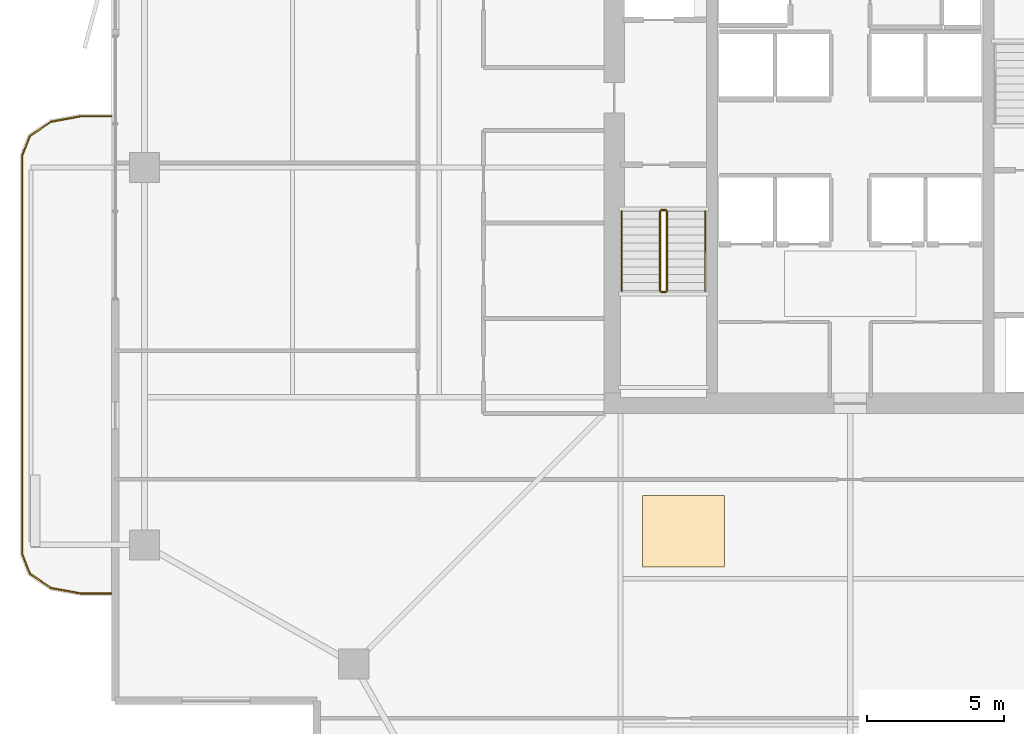
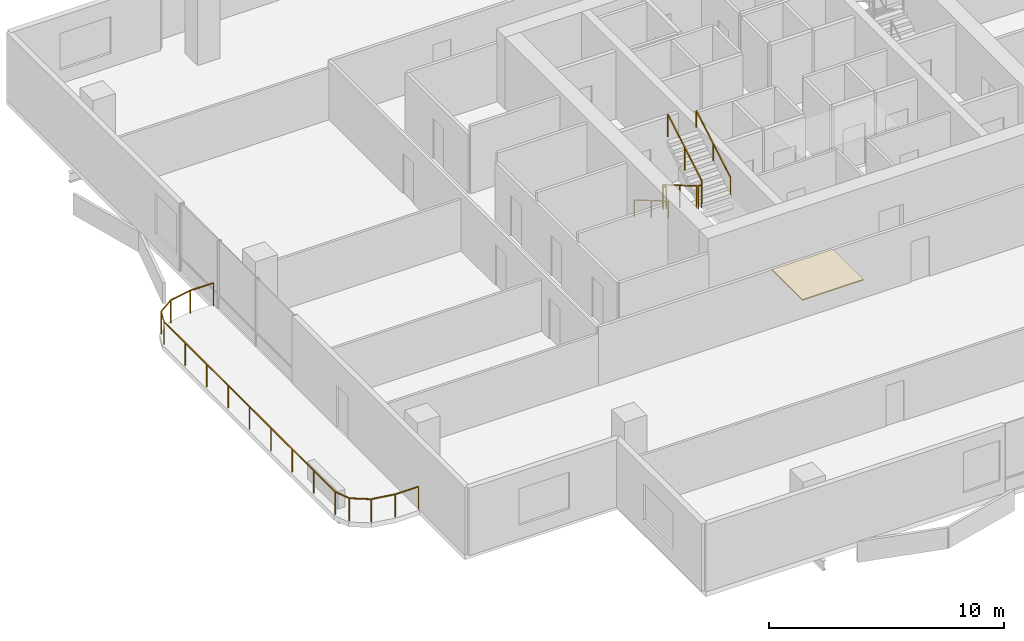
# One storey, part 21 of 24: 7 railings, 1 covering.
"""IFC4 building model written with IfcOpenShell, lengths in metres."""

from ifc_helpers import new_model, si_unit, direction, frame, origin, origin_2d, place, context, subcontext, project, spatial, polyline, rectangle, outline, extrude, material, layer, layer_set, type_object, element, save


model = new_model("IFC4")

# Units and contexts
model_context = context("Model", 3, precision=1e-05, world=origin(), true_north=direction((0.0, 1.0)))
body_context = subcontext(model_context, "Body", "Model", "MODEL_VIEW")
ifc_project = project(units=[si_unit("LENGTHUNIT", "METRE"), si_unit("AREAUNIT", "SQUARE_METRE"), si_unit("VOLUMEUNIT", "CUBIC_METRE"), si_unit("PLANEANGLEUNIT", "RADIAN"), si_unit("MASSUNIT", "GRAM", prefix="KILO")], contexts=[model_context])

# Site, building, storey
site_placement = place(None, origin())
site = spatial("IfcSite", under=ifc_project, at=site_placement, CompositionType="ELEMENT")
building_placement = place(site_placement, origin())
building = spatial("IfcBuilding", under=site, at=building_placement, Name="Belovzor Exchange Tower", CompositionType="ELEMENT")
storey_placement = place(building_placement, frame((0.0, 0.0, 237.449951171875)))
storey = spatial("IfcBuildingStorey", under=building, at=storey_placement, Name="L59", CompositionType="ELEMENT", Elevation=237.449951171875)

# Railings
ifc_material_1 = material(Name="Stainless Steel Grade 304", Category="steel")
railing_type_1 = type_object("IfcRailingType", Name="Brushed Stainless Steel Stair Handrail 900", PredefinedType="HANDRAIL", material=ifc_material_1)
railing_1_placement = place(storey_placement, frame((20.449951171875, 27.199951171875, 0.17041015625)))
element("IfcRailing", 1, at=railing_1_placement, inside=storey, type_object=railing_type_1, Name="L59 ST-1 stair handrail 1", PredefinedType="HANDRAIL", context=body_context, shape_type="SweptSolid", body=[
    extrude(rectangle(XDim=0.048095703125, YDim=0.048095703125, at=origin_2d()), frame((0.0, 0.0, 0.8759765625), z_axis=(0.0, -0.86209462966, 0.506747323142), x_axis=(1.0, 0.0, 0.0)), (0.0, 0.0, 1.0), 3.36376953125),
    extrude(rectangle(XDim=0.0419921875, YDim=0.0419921875, at=origin_2d()), origin(), (0.0, 0.0, 1.0), 0.851806640625),
    extrude(rectangle(XDim=0.0419921875, YDim=0.0419921875, at=origin_2d()), frame((0.0, -1.449951171875, 0.852294921875)), (0.0, 0.0, 1.0), 0.851806640625),
    extrude(rectangle(XDim=0.0419921875, YDim=0.0419921875, at=origin_2d()), frame((0.0, -2.89990234375, 1.70458984375)), (0.0, 0.0, 1.0), 0.851806640625),
])
railing_2_placement = place(storey_placement, frame((23.5, 24.300048828125, 2.04541015625)))
element("IfcRailing", 2, at=railing_2_placement, inside=storey, type_object=railing_type_1, Name="L59 ST-1 stair handrail 2", PredefinedType="HANDRAIL", context=body_context, shape_type="SweptSolid", body=[
    extrude(rectangle(XDim=0.048095703125, YDim=0.048095703125, at=origin_2d()), frame((0.0, 0.0, 0.8759765625), z_axis=(0.0, 0.86209462966, 0.506747323142), x_axis=(-1.0, 0.0, 0.0)), (0.0, 0.0, 1.0), 3.36376953125),
    extrude(rectangle(XDim=0.0419921875, YDim=0.0419921875, at=origin_2d()), origin(), (0.0, 0.0, 1.0), 0.851806640625),
    extrude(rectangle(XDim=0.0419921875, YDim=0.0419921875, at=origin_2d()), frame((0.0, 1.449951171875, 0.852294921875)), (0.0, 0.0, 1.0), 0.851806640625),
    extrude(rectangle(XDim=0.0419921875, YDim=0.0419921875, at=origin_2d()), frame((0.0, 2.89990234375, 1.70458984375)), (0.0, 0.0, 1.0), 0.851806640625),
])
ifc_material_2 = material(Name="Stainless Steel and Laminated Safety Glass", Category="steel")
railing_type_2 = type_object("IfcRailingType", Name="Laminated Glass & Stainless Steel Balcony Balustrade 1200", PredefinedType="BALUSTRADE", material=ifc_material_2)
railing_3_placement = place(storey_placement, frame((1.7900390625, 30.669921875, 0.0)))
element("IfcRailing", 3, at=railing_3_placement, inside=storey, type_object=railing_type_2, Name="GR-1 Balcony Balustrade L59 West", PredefinedType="BALUSTRADE", context=body_context, shape_type="SweptSolid", body=[
    extrude(rectangle(XDim=0.048095703125, YDim=0.048095703125, at=origin_2d()), frame((0.0, 0.0, 1.17578125), z_axis=(-1.0, 0.0, 0.0), x_axis=(0.0, -1.0, 0.0)), (0.0, 0.0, 1.0), 1.133056640625),
    extrude(rectangle(XDim=0.048095703125, YDim=0.048095703125, at=origin_2d()), frame((-1.133056640625, 0.0, 1.17578125), z_axis=(-0.983644145941, -0.180122719713, 0.0), x_axis=(0.180122719713, -0.983644145941, 0.0)), (0.0, 0.0, 1.0), 1.09375),
    extrude(rectangle(XDim=0.048095703125, YDim=0.048095703125, at=origin_2d()), frame((-2.208984375, -0.197021484375, 1.17578125), z_axis=(-0.826614792125, -0.562768145367, 0.0), x_axis=(0.562768145367, -0.826614792125, 0.0)), (0.0, 0.0, 1.0), 0.9326171875),
    extrude(rectangle(XDim=0.048095703125, YDim=0.048095703125, at=origin_2d()), frame((-2.97998046875, -0.721923828125, 1.17578125), z_axis=(-0.365612923861, -0.930766990125, 0.0), x_axis=(0.930766990125, -0.365612923861, 0.0)), (0.0, 0.0, 1.0), 0.765869140625),
    extrude(rectangle(XDim=0.048095703125, YDim=0.048095703125, at=origin_2d()), frame((-3.260009765625, -1.434814453125, 1.17578125), z_axis=(0.0, -1.0, 0.0), x_axis=(1.0, 0.0, 0.0)), (0.0, 0.0, 1.0), 14.570068359375),
    extrude(rectangle(XDim=0.048095703125, YDim=0.048095703125, at=origin_2d()), frame((-3.260009765625, -16.0048828125, 1.17578125), z_axis=(0.365504480807, -0.930809580156, 0.0), x_axis=(0.930809580156, 0.365504480807, 0.0)), (0.0, 0.0, 1.0), 0.76611328125),
    extrude(rectangle(XDim=0.048095703125, YDim=0.048095703125, at=origin_2d()), frame((-2.97998046875, -16.718017578125, 1.17578125), z_axis=(0.826614792125, -0.562768145367, 0.0), x_axis=(0.562768145367, 0.826614792125, 0.0)), (0.0, 0.0, 1.0), 0.9326171875),
    extrude(rectangle(XDim=0.048095703125, YDim=0.048095703125, at=origin_2d()), frame((-2.208984375, -17.242919921875, 1.17578125), z_axis=(0.983644145941, -0.180122719713, 0.0), x_axis=(0.180122719713, 0.983644145941, 0.0)), (0.0, 0.0, 1.0), 1.09375),
    extrude(rectangle(XDim=0.048095703125, YDim=0.048095703125, at=origin_2d()), frame((-1.133056640625, -17.43994140625, 1.17578125), z_axis=(1.0, 0.0, 0.0), x_axis=(0.0, 1.0, 0.0)), (0.0, 0.0, 1.0), 1.133056640625),
    extrude(rectangle(XDim=0.0419921875, YDim=0.0419921875, at=origin_2d()), origin(), (0.0, 0.0, 1.0), 1.15185546875),
    extrude(rectangle(XDim=0.0419921875, YDim=0.0419921875, at=origin_2d()), frame((-1.133056640625, 0.0, 0.0)), (0.0, 0.0, 1.0), 1.15185546875),
    extrude(rectangle(XDim=0.0419921875, YDim=0.0419921875, at=origin_2d()), frame((-2.208984375, -0.197021484375, 0.0)), (0.0, 0.0, 1.0), 1.15185546875),
    extrude(rectangle(XDim=0.0419921875, YDim=0.0419921875, at=origin_2d()), frame((-2.97998046875, -0.721923828125, 0.0)), (0.0, 0.0, 1.0), 1.15185546875),
    extrude(rectangle(XDim=0.0419921875, YDim=0.0419921875, at=origin_2d()), frame((-3.260009765625, -1.434814453125, 0.0)), (0.0, 0.0, 1.0), 1.15185546875),
    extrude(rectangle(XDim=0.0419921875, YDim=0.0419921875, at=origin_2d()), frame((-3.260009765625, -3.256103515625, 0.0)), (0.0, 0.0, 1.0), 1.15185546875),
    extrude(rectangle(XDim=0.0419921875, YDim=0.0419921875, at=origin_2d()), frame((-3.260009765625, -5.077392578125, 0.0)), (0.0, 0.0, 1.0), 1.15185546875),
    extrude(rectangle(XDim=0.0419921875, YDim=0.0419921875, at=origin_2d()), frame((-3.260009765625, -6.898681640625, 0.0)), (0.0, 0.0, 1.0), 1.15185546875),
    extrude(rectangle(XDim=0.0419921875, YDim=0.0419921875, at=origin_2d()), frame((-3.260009765625, -8.7197265625, 0.0)), (0.0, 0.0, 1.0), 1.15185546875),
    extrude(rectangle(XDim=0.0419921875, YDim=0.0419921875, at=origin_2d()), frame((-3.260009765625, -10.541015625, 0.0)), (0.0, 0.0, 1.0), 1.15185546875),
    extrude(rectangle(XDim=0.0419921875, YDim=0.0419921875, at=origin_2d()), frame((-3.260009765625, -12.3623046875, 0.0)), (0.0, 0.0, 1.0), 1.15185546875),
    extrude(rectangle(XDim=0.0419921875, YDim=0.0419921875, at=origin_2d()), frame((-3.260009765625, -14.18359375, 0.0)), (0.0, 0.0, 1.0), 1.15185546875),
    extrude(rectangle(XDim=0.0419921875, YDim=0.0419921875, at=origin_2d()), frame((-3.260009765625, -16.0048828125, 0.0)), (0.0, 0.0, 1.0), 1.15185546875),
    extrude(rectangle(XDim=0.0419921875, YDim=0.0419921875, at=origin_2d()), frame((-2.97998046875, -16.718017578125, 0.0)), (0.0, 0.0, 1.0), 1.15185546875),
    extrude(rectangle(XDim=0.0419921875, YDim=0.0419921875, at=origin_2d()), frame((-2.208984375, -17.242919921875, 0.0)), (0.0, 0.0, 1.0), 1.15185546875),
    extrude(rectangle(XDim=0.0419921875, YDim=0.0419921875, at=origin_2d()), frame((-1.133056640625, -17.43994140625, 0.0)), (0.0, 0.0, 1.0), 1.15185546875),
    extrude(rectangle(XDim=0.0419921875, YDim=0.0419921875, at=origin_2d()), frame((0.0, -17.43994140625, 0.0)), (0.0, 0.0, 1.0), 1.15185546875),
])
ifc_material_3 = material(Name="Steel S355", Category="steel")
railing_type_3 = type_object("IfcRailingType", Name="Painted Steel Stairwell Guardrail 1200", PredefinedType="GUARDRAIL", material=ifc_material_3)
railing_4_placement = place(storey_placement, frame((21.85009765625, 27.199951171875, 0.17041015625)))
element("IfcRailing", 4, at=railing_4_placement, inside=storey, type_object=railing_type_3, Name="L59 ST-1 stair guard 1", PredefinedType="GUARDRAIL", context=body_context, shape_type="SweptSolid", body=[
    extrude(rectangle(XDim=0.048095703125, YDim=0.048095703125, at=origin_2d()), frame((0.0, 0.0, 1.17578125), z_axis=(0.0, -0.86209462966, 0.506747323142), x_axis=(1.0, 0.0, 0.0)), (0.0, 0.0, 1.0), 3.36376953125),
    extrude(rectangle(XDim=0.0419921875, YDim=0.0419921875, at=origin_2d()), origin(), (0.0, 0.0, 1.0), 1.15185546875),
    extrude(rectangle(XDim=0.0419921875, YDim=0.0419921875, at=origin_2d()), frame((0.0, -1.449951171875, 0.852294921875)), (0.0, 0.0, 1.0), 1.15185546875),
    extrude(rectangle(XDim=0.0419921875, YDim=0.0419921875, at=origin_2d()), frame((0.0, -2.89990234375, 1.70458984375)), (0.0, 0.0, 1.0), 1.15185546875),
])
railing_5_placement = place(storey_placement, frame((21.89990234375, 24.25, 1.875)))
element("IfcRailing", 5, at=railing_5_placement, inside=storey, type_object=railing_type_3, Name="L59 ST-1 stair guard 2", PredefinedType="GUARDRAIL", context=body_context, shape_type="SweptSolid", body=[
    extrude(rectangle(XDim=0.048095703125, YDim=0.048095703125, at=origin_2d()), frame((0.0, 0.0, 1.17578125), z_axis=(1.0, 0.0, 0.0), x_axis=(0.0, 1.0, 0.0)), (0.0, 0.0, 1.0), 0.150146484375),
    extrude(rectangle(XDim=0.0419921875, YDim=0.0419921875, at=origin_2d()), origin(), (0.0, 0.0, 1.0), 1.15185546875),
    extrude(rectangle(XDim=0.0419921875, YDim=0.0419921875, at=origin_2d()), frame((0.150146484375, 0.0, 0.0)), (0.0, 0.0, 1.0), 1.15185546875),
])
railing_6_placement = place(storey_placement, frame((22.10009765625, 24.300048828125, 2.04541015625)))
element("IfcRailing", 6, at=railing_6_placement, inside=storey, type_object=railing_type_3, Name="L59 ST-1 stair guard 3", PredefinedType="GUARDRAIL", context=body_context, shape_type="SweptSolid", body=[
    extrude(rectangle(XDim=0.048095703125, YDim=0.048095703125, at=origin_2d()), frame((0.0, 0.0, 1.17578125), z_axis=(0.0, 0.86209462966, 0.506747323142), x_axis=(-1.0, 0.0, 0.0)), (0.0, 0.0, 1.0), 3.36376953125),
    extrude(rectangle(XDim=0.0419921875, YDim=0.0419921875, at=origin_2d()), origin(), (0.0, 0.0, 1.0), 1.15185546875),
    extrude(rectangle(XDim=0.0419921875, YDim=0.0419921875, at=origin_2d()), frame((0.0, 1.449951171875, 0.852294921875)), (0.0, 0.0, 1.0), 1.15185546875),
    extrude(rectangle(XDim=0.0419921875, YDim=0.0419921875, at=origin_2d()), frame((0.0, 2.89990234375, 1.70458984375)), (0.0, 0.0, 1.0), 1.15185546875),
])
railing_7_placement = place(storey_placement, frame((21.89990234375, 27.25, 0.0)))
element("IfcRailing", 7, at=railing_7_placement, inside=storey, type_object=railing_type_3, Name="L59 ST-1 stair guard 4", PredefinedType="GUARDRAIL", context=body_context, shape_type="SweptSolid", body=[
    extrude(rectangle(XDim=0.048095703125, YDim=0.048095703125, at=origin_2d()), frame((0.0, 0.0, 1.17578125), z_axis=(1.0, 0.0, 0.0), x_axis=(0.0, 1.0, 0.0)), (0.0, 0.0, 1.0), 0.150146484375),
    extrude(rectangle(XDim=0.0419921875, YDim=0.0419921875, at=origin_2d()), origin(), (0.0, 0.0, 1.0), 1.15185546875),
    extrude(rectangle(XDim=0.0419921875, YDim=0.0419921875, at=origin_2d()), frame((0.150146484375, 0.0, 0.0)), (0.0, 0.0, 1.0), 1.15185546875),
])

# Covering
ifc_material_4 = material(Name="Perforated Powder-Coated Aluminium", Category="aluminium")
ifc_layer = layer(ifc_material_4, 0.06005859375)
ifc_layer_set = layer_set([ifc_layer], Name="Perforated Powder-Coated Aluminium")
covering_type = type_object("IfcCoveringType", Name="Perforated Acoustic Metal Tile Suspended Ceiling 60", PredefinedType="CEILING", material=ifc_layer_set)
covering_placement = place(storey_placement, frame((0.0, 0.0, 3.43994140625)))
element("IfcCovering", 8, at=covering_placement, inside=storey, type_object=covering_type, Name="CLG-AC60 Suspended Ceiling CLG-L59-Z0", PredefinedType="CEILING", context=body_context, shape_type="SweptSolid", body=[
    extrude(outline(polyline([(21.199951171875, 14.199951171875), (24.199951171875, 14.199951171875), (24.199951171875, 16.800048828125), (21.199951171875, 16.800048828125), (21.199951171875, 14.199951171875)])), origin(), (0.0, 0.0, 1.0), 0.06005859375),
])

save(model, "model.ifc")
